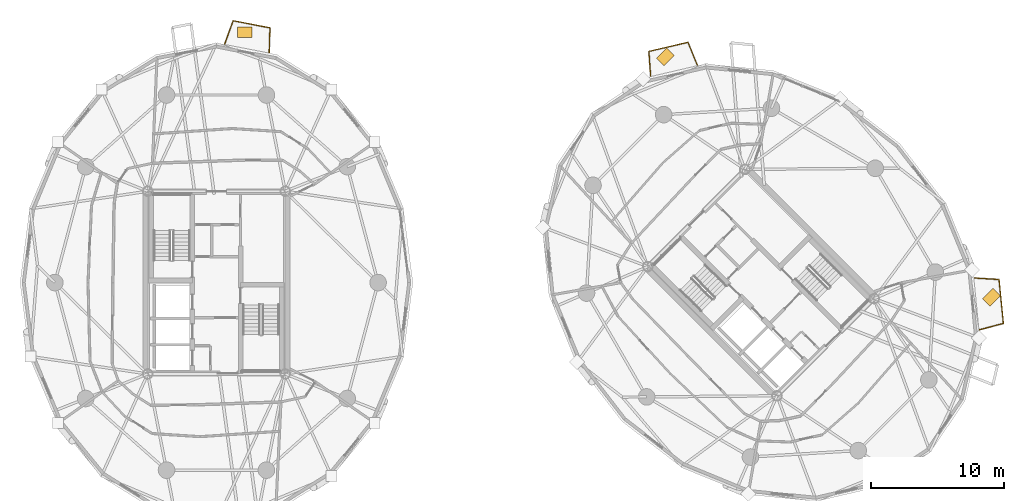
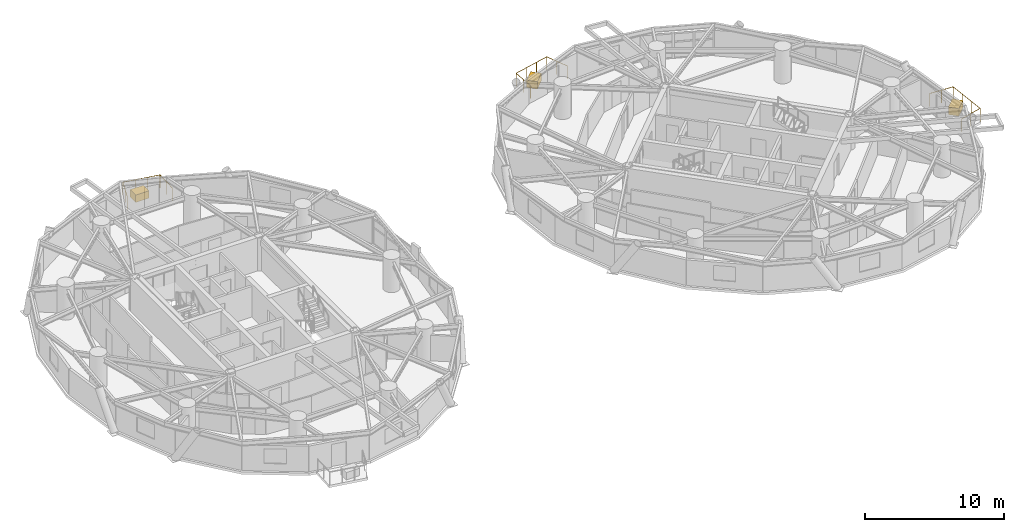
# One storey, part 19 of 19: 3 coverings, 3 railings.
"""IFC4 building model written with IfcOpenShell, lengths in metres."""

import ifcopenshell
import ifcopenshell.guid

model = None  # the IFC model being written
_history = None  # IfcOwnerHistory: only IFC2X3 demands one
_inside = {}  # id of a spatial element -> (the spatial element, [elements in it])
_under = {}  # id of a project, library or spatial element -> (it, [spatial elements below it])
_declared = {}  # id of a project -> (the project, [libraries it declares])
_typed = {}  # id of a type object -> (the type object, [elements of that type])
_made_of = {}  # id of a material, layer set ... -> (it, [elements and type objects made of it])


def new_model(schema):
    """Start an empty IFC model of exactly this schema.

    Asked for "IFC4X3", IfcOpenShell would pick the latest addendum, in which some entities
    have other attributes; the version numbers below select the first issue.
    IFC2X3 requires an IfcOwnerHistory on every rooted entity: one is made here for all.
    """
    global model, _history
    if schema == "IFC4X3":
        model = ifcopenshell.file(schema_version=(4, 3, 0, 0))
    else:
        model = ifcopenshell.file(schema=schema)
    _inside.clear()
    _under.clear()
    _declared.clear()
    _typed.clear()
    _made_of.clear()
    _history = None
    if model.schema == "IFC2X3":
        org = make("IfcOrganization", Name="unknown")
        user = make(
            "IfcPersonAndOrganization",
            ThePerson=make("IfcPerson", FamilyName="unknown"),
            TheOrganization=org,
        )
        app = make(
            "IfcApplication",
            ApplicationDeveloper=org,
            Version="unknown",
            ApplicationFullName="unknown",
            ApplicationIdentifier="unknown",
        )
        _history = make(
            "IfcOwnerHistory",
            OwningUser=user,
            OwningApplication=app,
            ChangeAction="ADDED",
            CreationDate=0,
        )
    return model


def make(cls, **values):
    """One entity of the class cls with the attributes given. An attribute that is None is left unset."""
    return model.create_entity(
        cls, **{name: value for name, value in values.items() if value is not None}
    )


def rooted(cls, **values):
    """An entity with a GlobalId (a new one), such as an element, a storey or a relation."""
    return make(cls, GlobalId=ifcopenshell.guid.new(), OwnerHistory=_history, **values)


def si_unit(unit_type, name, prefix=None):
    """IfcSIUnit, for example si_unit("LENGTHUNIT", "METRE", prefix="MILLI")."""
    return make("IfcSIUnit", UnitType=unit_type, Prefix=prefix, Name=name)


def assignment(units):
    """IfcUnitAssignment: the units of a project."""
    return None if units is None else make("IfcUnitAssignment", Units=units)


def point(xyz):
    """IfcCartesianPoint."""
    return None if xyz is None else make("IfcCartesianPoint", Coordinates=xyz)


def direction(xyz):
    """IfcDirection."""
    return None if xyz is None else make("IfcDirection", DirectionRatios=xyz)


def frame(location, z_axis=None, x_axis=None):
    """IfcAxis2Placement3D, a coordinate frame: its origin and axes. An axis left out is left unset."""
    return make(
        "IfcAxis2Placement3D",
        Location=point(location),
        Axis=direction(z_axis),
        RefDirection=direction(x_axis),
    )


def frame_2d(location, x_axis=None):
    """IfcAxis2Placement2D, a coordinate frame in the plane: its origin and x axis."""
    return make(
        "IfcAxis2Placement2D", Location=point(location), RefDirection=direction(x_axis)
    )


def origin():
    """The frame at (0, 0, 0) with its axes left unset."""
    return frame((0.0, 0.0, 0.0))


def origin_2d():
    """The frame at (0, 0) in the plane with its x axis left unset."""
    return frame_2d((0.0, 0.0))


def place(relative_to, where):
    """IfcLocalPlacement: puts the frame where relative to a parent placement (None: the world)."""
    return make(
        "IfcLocalPlacement", PlacementRelTo=relative_to, RelativePlacement=where
    )


def context(
    kind, dimensions, precision=None, world=None, true_north=None, identifier=None
):
    """IfcGeometricRepresentationContext, for example the 3D "Model" context."""
    return make(
        "IfcGeometricRepresentationContext",
        ContextIdentifier=identifier,
        ContextType=kind,
        CoordinateSpaceDimension=dimensions,
        Precision=precision,
        WorldCoordinateSystem=world,
        TrueNorth=true_north,
    )


def subcontext(parent, identifier, kind, view, scale=None):
    """IfcGeometricRepresentationSubContext, for example "Body" below "Model"."""
    return make(
        "IfcGeometricRepresentationSubContext",
        ContextIdentifier=identifier,
        ContextType=kind,
        ParentContext=parent,
        TargetScale=scale,
        TargetView=view,
    )


def project(units=None, contexts=None):
    """IfcProject with its units and contexts."""
    return rooted(
        "IfcProject",
        Name="project",
        RepresentationContexts=contexts,
        UnitsInContext=assignment(units),
    )


def spatial(cls, under=None, at=None, **own):
    """A site, building, storey or space (cls), placed at a placement, below another one or the project."""
    s = rooted(cls, ObjectPlacement=at, **own)
    if under is not None:
        _under.setdefault(under.id(), (under, []))[1].append(s)
    return s


def profile(cls, at=None, kind="AREA", **sizes):
    """A parametric profile (cls). Its sizes go by their IFC names, for example OverallWidth=200.0."""
    return make(cls, ProfileType=kind, Position=at, **sizes)


def rectangle(**sizes):
    """IfcRectangleProfileDef."""
    return profile("IfcRectangleProfileDef", **sizes)


def circle(**sizes):
    """IfcCircleProfileDef."""
    return profile("IfcCircleProfileDef", **sizes)


def extrude(swept, where, along, depth):
    """IfcExtrudedAreaSolid: the profile swept, set in the frame where, extruded along a direction by depth."""
    return make(
        "IfcExtrudedAreaSolid",
        SweptArea=swept,
        Position=where,
        ExtrudedDirection=direction(along),
        Depth=depth,
    )


def shape(context_of_items, identifier, shape_type, items):
    """IfcShapeRepresentation: the items that make up one representation, for example the "Body"."""
    return make(
        "IfcShapeRepresentation",
        ContextOfItems=context_of_items,
        RepresentationIdentifier=identifier,
        RepresentationType=shape_type,
        Items=items,
    )


def source(mapping_origin, context_of_items, identifier, shape_type, items):
    """IfcRepresentationMap: a shape defined once, which mapped items show again and again."""
    return make(
        "IfcRepresentationMap",
        MappingOrigin=mapping_origin,
        MappedRepresentation=shape(context_of_items, identifier, shape_type, items),
    )


def transform(
    local_origin,
    x_axis=None,
    y_axis=None,
    z_axis=None,
    scale=None,
    scale2=None,
    scale3=None,
    uniform=True,
):
    """IfcCartesianTransformationOperator3D, or its non-uniform kind. x_axis, y_axis, z_axis: its Axis1, 2, 3."""
    if uniform:
        return make(
            "IfcCartesianTransformationOperator3D",
            Axis1=direction(x_axis),
            Axis2=direction(y_axis),
            LocalOrigin=point(local_origin),
            Scale=scale,
            Axis3=direction(z_axis),
        )
    return make(
        "IfcCartesianTransformationOperator3DnonUniform",
        Axis1=direction(x_axis),
        Axis2=direction(y_axis),
        LocalOrigin=point(local_origin),
        Scale=scale,
        Axis3=direction(z_axis),
        Scale2=scale2,
        Scale3=scale3,
    )


def mapped(mapping_source, mapping_target):
    """IfcMappedItem: shows the shape of a source again, moved by a transform."""
    return make(
        "IfcMappedItem", MappingSource=mapping_source, MappingTarget=mapping_target
    )


def material(Name=None, Category=None):
    """IfcMaterial."""
    return make("IfcMaterial", Name=Name, Category=Category)


def layer(
    of_material, thickness, ventilated=None, Name=None, Category=None, Priority=None
):
    """IfcMaterialLayer: one layer of a wall or slab, of a material (None: an air gap)."""
    return make(
        "IfcMaterialLayer",
        Material=of_material,
        LayerThickness=thickness,
        IsVentilated=ventilated,
        Name=Name,
        Category=Category,
        Priority=Priority,
    )


def layer_set(layers, Name=None):
    """IfcMaterialLayerSet."""
    return make("IfcMaterialLayerSet", MaterialLayers=layers, LayerSetName=Name)


def made_of(thing, what):
    """Note that an element or type object is made of a material, layer set ...; save() writes the relation."""
    if what is not None:
        _made_of.setdefault(what.id(), (what, []))[1].append(thing)
    return thing


def type_object(cls, material=None, **own):
    """A type object (cls), such as IfcWallType, which elements share."""
    return made_of(rooted(cls, **own), material)


def element(
    cls,
    number,
    at=None,
    inside=None,
    cuts=None,
    type_object=None,
    material=None,
    context=None,
    identifier="Body",
    shape_type=None,
    held_by="IfcProductDefinitionShape",
    body=None,
    shapes=None,
    **own,
):
    """One element of the class cls, such as IfcWall. Its Tag is "e" and its number.

    at: its placement. inside: the storey or other place that contains it. cuts: it is an
    opening in that element (IfcRelVoidsElement). A single representation is given by context,
    identifier, shape_type and body (its items); several are given by shapes. held_by: the class
    of the entity that holds the representations. save() writes the other relations.
    """
    e = rooted(cls, Tag="e%d" % number, ObjectPlacement=at, **own)
    if body is not None:
        shapes = [shape(context, identifier, shape_type, body)]
    if shapes is not None:
        e.Representation = make(held_by, Representations=shapes)
    if inside is not None:
        _inside.setdefault(inside.id(), (inside, []))[1].append(e)
    if cuts is not None:
        rooted(
            "IfcRelVoidsElement", RelatingBuildingElement=cuts, RelatedOpeningElement=e
        )
    if type_object is not None:
        _typed.setdefault(type_object.id(), (type_object, []))[1].append(e)
    return made_of(e, material)


def aggregate(whole, parts):
    """IfcRelAggregates: a whole, such as a stair, and the parts it consists of."""
    return rooted("IfcRelAggregates", RelatingObject=whole, RelatedObjects=parts)


def save(model, path):
    """Write the relations noted so far, then the file.

    IfcRelAggregates (storeys below a building ...), IfcRelContainedInSpatialStructure (elements
    in a storey), IfcRelDefinesByType, IfcRelAssociatesMaterial and IfcRelDeclares: one each for
    every whole, place, type object, material and project.
    """
    for whole, parts in _under.values():
        aggregate(whole, parts)
    for where, things in _inside.values():
        rooted(
            "IfcRelContainedInSpatialStructure",
            RelatedElements=things,
            RelatingStructure=where,
        )
    for kind, things in _typed.values():
        rooted("IfcRelDefinesByType", RelatedObjects=things, RelatingType=kind)
    for what, things in _made_of.values():
        rooted("IfcRelAssociatesMaterial", RelatedObjects=things, RelatingMaterial=what)
    for by, libraries in _declared.values():
        rooted("IfcRelDeclares", RelatingContext=by, RelatedDefinitions=libraries)
    model.write(path)


model = new_model("IFC4")

# Units and contexts
model_context = context("Model", 3, precision=1e-05, world=origin(), true_north=direction((0.0, 1.0)))
body_context = subcontext(model_context, "Body", "Model", "MODEL_VIEW")
ifc_project = project(units=[si_unit("LENGTHUNIT", "METRE"), si_unit("AREAUNIT", "SQUARE_METRE"), si_unit("VOLUMEUNIT", "CUBIC_METRE"), si_unit("PLANEANGLEUNIT", "RADIAN"), si_unit("MASSUNIT", "GRAM", prefix="KILO")], contexts=[model_context])

# Site, building, storey
site_placement = place(None, origin())
site = spatial("IfcSite", under=ifc_project, at=site_placement, CompositionType="ELEMENT")
building_placement = place(site_placement, origin())
building = spatial("IfcBuilding", under=site, at=building_placement, Name="Cununo Teusaquillo Station Towers", CompositionType="ELEMENT")
storey_placement = place(building_placement, frame((0.0, 0.0, 160.330078125)))
storey = spatial("IfcBuildingStorey", under=building, at=storey_placement, Name="L50", CompositionType="ELEMENT", Elevation=160.330078125)

# Railings
ifc_material_1 = material(Name="Anodised dark bronze aluminium EN AW-6063-T6", Category="aluminium")
railing_type = type_object("IfcRailingType", Name="RL-EXT-GUARD", PredefinedType="GUARDRAIL", material=ifc_material_1)
railing_1_placement = place(storey_placement, frame((17.117431640625, 42.474609375, 0.0)))
element("IfcRailing", 1, at=railing_1_placement, inside=storey, type_object=railing_type, Name="L50 Tower A Balcony Guardrail C04", PredefinedType="GUARDRAIL", context=body_context, shape_type="SweptSolid", body=[
    extrude(circle(Radius=0.02392578125, at=origin_2d()), frame((0.0, 0.0, 1.1259765625), z_axis=(0.344127190422, 0.938923040942, 0.0), x_axis=(-0.938923040942, 0.344127190422, 0.0)), (0.0, 0.0, 1.0), 1.857421875),
    extrude(circle(Radius=0.02392578125, at=origin_2d()), frame((0.63916015625, 1.743896484375, 1.1259765625), z_axis=(0.981837596309, -0.18972331031, 0.0), x_axis=(0.18972331031, 0.981837596309, 0.0)), (0.0, 0.0, 1.0), 2.822021484375),
    extrude(circle(Radius=0.02392578125, at=origin_2d()), frame((3.409912109375, 1.20849609375, 1.1259765625), z_axis=(-0.030492060761, -0.999535009007, 0.0), x_axis=(0.999535009007, -0.030492060761, 0.0)), (0.0, 0.0, 1.0), 1.857666015625),
    extrude(circle(Radius=0.02099609375, at=origin_2d()), origin(), (0.0, 0.0, 1.0), 1.101806640625),
    extrude(circle(Radius=0.02099609375, at=origin_2d()), frame((0.319580078125, 0.8720703125, 0.0)), (0.0, 0.0, 1.0), 1.101806640625),
    extrude(circle(Radius=0.02099609375, at=origin_2d()), frame((0.63916015625, 1.743896484375, 0.0)), (0.0, 0.0, 1.0), 1.101806640625),
    extrude(circle(Radius=0.02099609375, at=origin_2d()), frame((1.562744140625, 1.5654296875, 0.0)), (0.0, 0.0, 1.0), 1.101806640625),
    extrude(circle(Radius=0.02099609375, at=origin_2d()), frame((2.486328125, 1.386962890625, 0.0)), (0.0, 0.0, 1.0), 1.101806640625),
    extrude(circle(Radius=0.02099609375, at=origin_2d()), frame((3.409912109375, 1.20849609375, 0.0)), (0.0, 0.0, 1.0), 1.101806640625),
    extrude(circle(Radius=0.02099609375, at=origin_2d()), frame((3.381591796875, 0.2802734375, 0.0)), (0.0, 0.0, 1.0), 1.101806640625),
    extrude(circle(Radius=0.02099609375, at=origin_2d()), frame((3.353271484375, -0.648193359375, 0.0)), (0.0, 0.0, 1.0), 1.101806640625),
])
railing_2_placement = place(storey_placement, frame((49.18994140625, 40.052978515625, 0.0)))
element("IfcRailing", 2, at=railing_2_placement, inside=storey, type_object=railing_type, Name="L50 Tower B Balcony Guardrail C03", PredefinedType="GUARDRAIL", context=body_context, shape_type="SweptSolid", body=[
    extrude(circle(Radius=0.02392578125, at=origin_2d()), frame((0.0, 0.0, 1.1259765625), z_axis=(-0.068878636169, 0.997625046538, 0.0), x_axis=(-0.997625046538, -0.068878636169, 0.0)), (0.0, 0.0, 1.0), 1.86083984375),
    extrude(circle(Radius=0.02392578125, at=origin_2d()), frame((-0.128173828125, 1.8564453125, 1.1259765625), z_axis=(0.973828087145, 0.227285847971, 0.0), x_axis=(-0.227285847971, 0.973828087145, 0.0)), (0.0, 0.0, 1.0), 3.01953125),
    extrude(circle(Radius=0.02392578125, at=origin_2d()), frame((2.812255859375, 2.542724609375, 1.1259765625), z_axis=(0.379766515213, -0.925082371426, 0.0), x_axis=(0.925082371426, 0.379766515213, 0.0)), (0.0, 0.0, 1.0), 1.861083984375),
    extrude(circle(Radius=0.02099609375, at=origin_2d()), origin(), (0.0, 0.0, 1.0), 1.101806640625),
    extrude(circle(Radius=0.02099609375, at=origin_2d()), frame((-0.06396484375, 0.92822265625, 0.0)), (0.0, 0.0, 1.0), 1.101806640625),
    extrude(circle(Radius=0.02099609375, at=origin_2d()), frame((-0.128173828125, 1.8564453125, 0.0)), (0.0, 0.0, 1.0), 1.101806640625),
    extrude(circle(Radius=0.02099609375, at=origin_2d()), frame((0.85205078125, 2.085205078125, 0.0)), (0.0, 0.0, 1.0), 1.101806640625),
    extrude(circle(Radius=0.02099609375, at=origin_2d()), frame((1.83203125, 2.31396484375, 0.0)), (0.0, 0.0, 1.0), 1.101806640625),
    extrude(circle(Radius=0.02099609375, at=origin_2d()), frame((2.812255859375, 2.542724609375, 0.0)), (0.0, 0.0, 1.0), 1.101806640625),
    extrude(circle(Radius=0.02099609375, at=origin_2d()), frame((3.16552734375, 1.681884765625, 0.0)), (0.0, 0.0, 1.0), 1.101806640625),
    extrude(circle(Radius=0.02099609375, at=origin_2d()), frame((3.51904296875, 0.821044921875, 0.0)), (0.0, 0.0, 1.0), 1.101806640625),
])
railing_3_placement = place(storey_placement, frame((73.56591796875, 24.84619140625, 0.0)))
element("IfcRailing", 3, at=railing_3_placement, inside=storey, type_object=railing_type, Name="L50 Tower B Balcony Guardrail C17", PredefinedType="GUARDRAIL", context=body_context, shape_type="SweptSolid", body=[
    extrude(circle(Radius=0.02392578125, at=origin_2d()), frame((0.0, 0.0, 1.1259765625), z_axis=(0.998116185791, -0.061352095824, 0.0), x_axis=(0.061352095824, 0.998116185791, 0.0)), (0.0, 0.0, 1.0), 1.8662109375),
    extrude(circle(Radius=0.02392578125, at=origin_2d()), frame((1.86279296875, -0.114501953125, 1.1259765625), z_axis=(0.098587208981, -0.995128414942, 0.0), x_axis=(0.995128414942, 0.098587208981, 0.0)), (0.0, 0.0, 1.0), 3.3232421875),
    extrude(circle(Radius=0.02392578125, at=origin_2d()), frame((2.1904296875, -3.421630859375, 1.1259765625), z_axis=(-0.96667000051, -0.256025604412, 0.0), x_axis=(0.256025604412, -0.96667000051, 0.0)), (0.0, 0.0, 1.0), 1.8662109375),
    extrude(circle(Radius=0.02099609375, at=origin_2d()), origin(), (0.0, 0.0, 1.0), 1.101806640625),
    extrude(circle(Radius=0.02099609375, at=origin_2d()), frame((0.931396484375, -0.05712890625, 0.0)), (0.0, 0.0, 1.0), 1.101806640625),
    extrude(circle(Radius=0.02099609375, at=origin_2d()), frame((1.86279296875, -0.114501953125, 0.0)), (0.0, 0.0, 1.0), 1.101806640625),
    extrude(circle(Radius=0.02099609375, at=origin_2d()), frame((1.971923828125, -1.216796875, 0.0)), (0.0, 0.0, 1.0), 1.101806640625),
    extrude(circle(Radius=0.02099609375, at=origin_2d()), frame((2.081298828125, -2.3193359375, 0.0)), (0.0, 0.0, 1.0), 1.101806640625),
    extrude(circle(Radius=0.02099609375, at=origin_2d()), frame((2.1904296875, -3.421630859375, 0.0)), (0.0, 0.0, 1.0), 1.101806640625),
    extrude(circle(Radius=0.02099609375, at=origin_2d()), frame((1.28857421875, -3.66064453125, 0.0)), (0.0, 0.0, 1.0), 1.101806640625),
    extrude(circle(Radius=0.02099609375, at=origin_2d()), frame((0.386474609375, -3.8994140625, 0.0)), (0.0, 0.0, 1.0), 1.101806640625),
])

# Coverings
ifc_material_2 = material(Name="Architectural GRC planter shell and engineered root-zone substrate", Category="concrete")
ifc_layer = layer(ifc_material_2, 0.64990234375)
ifc_layer_set = layer_set([ifc_layer], Name="Architectural GRC planter shell and engineered root-zone substrate")
covering_type = type_object("IfcCoveringType", Name="COV-TREE-PLANTER", PredefinedType="CLADDING", material=ifc_layer_set)
shared_shape = source(origin(), body_context, "Body", "SweptSolid", [
    extrude(rectangle(XDim=1.10009765625, YDim=0.800048828125, at=origin_2d()), origin(), (0.0, 0.0, 1.0), 0.64990234375),
])
for number, where, z_axis, x_axis, name in (
    (4, (18.633056640625, 43.346435546875, 0.0), (0.0, 0.0, 1.0), (1.0, 0.0, 0.0), "L50 Tower A Balcony Tree PLANTER C04"),
    (5, (50.314208984375, 41.4912109375, 0.0), (0.0, 0.0, 1.0), (0.707106781187, 0.707106781187, 0.0), "L50 Tower B Balcony Tree PLANTER C03"),
    (6, (74.86328125, 23.392578125, 0.0), (0.0, 0.0, 1.0), (0.707106781187, 0.707106781187, 0.0), "L50 Tower B Balcony Tree PLANTER C17"),
):
    element("IfcCovering", number, at=place(storey_placement, frame(where, z_axis=z_axis, x_axis=x_axis)), inside=storey, type_object=covering_type, Name=name, PredefinedType="CLADDING", context=body_context, shape_type="MappedRepresentation", body=[
        mapped(shared_shape, transform((0.0, 0.0, 0.0), x_axis=(1.0, 0.0, 0.0), y_axis=(0.0, 1.0, 0.0), z_axis=(0.0, 0.0, 1.0), scale=1.0)),
    ])

save(model, "model.ifc")
